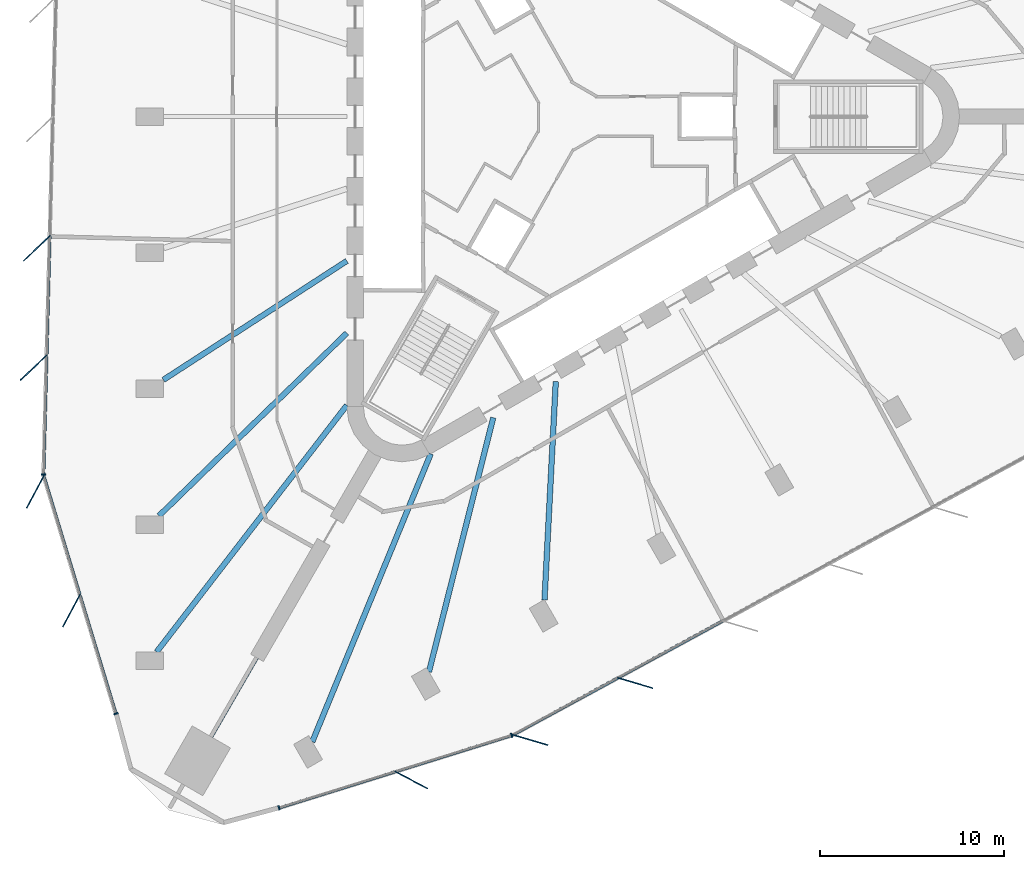
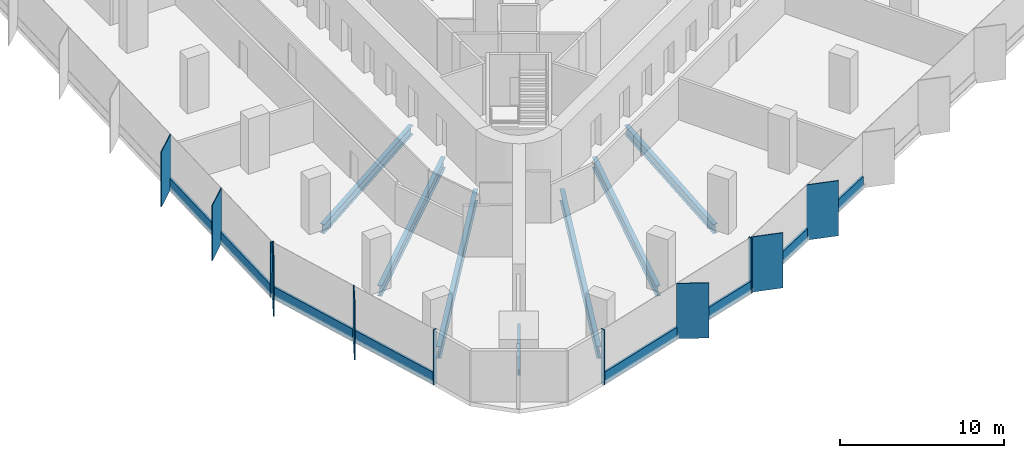
# One storey, part 2 of 14: 19 members, 7 beams, 4 elements without a shape of their own.
"""IFC4 building model written with IfcOpenShell, lengths in metres."""

from ifc_helpers import new_model, si_unit, direction, frame, origin, origin_2d, place, context, subcontext, project, spatial, rectangle, i_section, extrude, material, material_profile, profile_set, type_object, element, aggregate, save


model = new_model("IFC4")

# Units and contexts
model_context = context("Model", 3, precision=1e-05, world=origin(), true_north=direction((0.0, 1.0)))
body_context = subcontext(model_context, "Body", "Model", "MODEL_VIEW")
ifc_project = project(units=[si_unit("LENGTHUNIT", "METRE"), si_unit("AREAUNIT", "SQUARE_METRE"), si_unit("VOLUMEUNIT", "CUBIC_METRE"), si_unit("PLANEANGLEUNIT", "RADIAN"), si_unit("MASSUNIT", "GRAM", prefix="KILO")], contexts=[model_context])

# Site, building, storey
site_placement = place(None, origin())
site = spatial("IfcSite", under=ifc_project, at=site_placement, CompositionType="ELEMENT")
building_placement = place(site_placement, origin())
building = spatial("IfcBuilding", under=site, at=building_placement, Name="Tanit Gate Tower", CompositionType="ELEMENT")
storey_placement = place(building_placement, frame((0.0, 0.0, 127.5)))
storey = spatial("IfcBuildingStorey", under=building, at=storey_placement, Name="L27", CompositionType="ELEMENT", Elevation=127.5)

# Curtain wall, members
ifc_material_1 = material(Name="Aluminium bronze anodised and glass", Category="aluminium")
curtain_wall_type = type_object("IfcCurtainWallType", Name="Curtain wall typical low", PredefinedType="NOTDEFINED", material=ifc_material_1)
curtain_wall_1_placement = place(storey_placement, origin())
curtain_wall_1 = element("IfcCurtainWall", 1, at=curtain_wall_1_placement, inside=storey, type_object=curtain_wall_type, Name="Curtain wall L27 W2", PredefinedType="NOTDEFINED")
ifc_material_2 = material(Name="Aluminium bronze anodised", Category="aluminium")
ifc_material_profile_1 = material_profile(ifc_material_2, rectangle(XDim=2.0, YDim=0.055908203125, at=origin_2d()), Name="56x2000 bronze fin mullion")
ifc_profile_set_1 = profile_set([ifc_material_profile_1], Name="Aluminium bronze anodised")
member_type_1 = type_object("IfcMemberType", Name="FIN MULLION 56x2000 bronze", PredefinedType="MULLION", material=ifc_profile_set_1)
member_1_placement = place(storey_placement, frame((-28.945556640625, -7.157470703125, -0.300048828125), z_axis=(0.0, 0.0, 1.0), x_axis=(0.725295571884, 0.688437603131, 0.0)))
member_1 = element("IfcMember", 2, at=member_1_placement, type_object=member_type_1, Name="Fin mullion L27 W2.5", PredefinedType="MULLION", context=body_context, shape_type="SweptSolid", body=[
    extrude(rectangle(XDim=2.0, YDim=0.055908203125, at=origin_2d()), origin(), (0.0, 0.0, 1.0), 4.10009765625),
])
member_2_placement = place(storey_placement, frame((-29.11474609375, -13.64306640625, -0.300048828125), z_axis=(0.0, 0.0, 1.0), x_axis=(0.725295571884, 0.688437603131, 0.0)))
member_2 = element("IfcMember", 3, at=member_2_placement, type_object=member_type_1, Name="Fin mullion L27 W2.6", PredefinedType="MULLION", context=body_context, shape_type="SweptSolid", body=[
    extrude(rectangle(XDim=2.0, YDim=0.055908203125, at=origin_2d()), origin(), (0.0, 0.0, 1.0), 4.10009765625),
])

curtain_wall_2_placement = place(storey_placement, origin())
curtain_wall_2 = element("IfcCurtainWall", 4, at=curtain_wall_2_placement, inside=storey, type_object=curtain_wall_type, Name="Curtain wall L27 W3", PredefinedType="NOTDEFINED")
member_3_placement = place(storey_placement, frame((-29.02490234375, -20.395751953125, -0.300048828125), z_axis=(0.0, 0.0, 1.0), x_axis=(0.471377964943, 0.881931297872, 0.0)))
member_3 = element("IfcMember", 5, at=member_3_placement, type_object=member_type_1, Name="Fin mullion L27 W3.1", PredefinedType="MULLION", context=body_context, shape_type="SweptSolid", body=[
    extrude(rectangle(XDim=2.0, YDim=0.055908203125, at=origin_2d()), origin(), (0.0, 0.0, 1.0), 4.10009765625),
])
member_4_placement = place(storey_placement, frame((-27.066162109375, -26.85302734375, -0.300048828125), z_axis=(0.0, 0.0, 1.0), x_axis=(0.471377964943, 0.881931297872, 0.0)))
member_4 = element("IfcMember", 6, at=member_4_placement, type_object=member_type_1, Name="Fin mullion L27 W3.2", PredefinedType="MULLION", context=body_context, shape_type="SweptSolid", body=[
    extrude(rectangle(XDim=2.0, YDim=0.055908203125, at=origin_2d()), origin(), (0.0, 0.0, 1.0), 4.10009765625),
])

# Curtain wall, member
curtain_wall_3_placement = place(storey_placement, origin())
curtain_wall_3 = element("IfcCurtainWall", 7, at=curtain_wall_3_placement, inside=storey, type_object=curtain_wall_type, Name="Curtain wall L27 SE1", PredefinedType="NOTDEFINED")
member_5_placement = place(storey_placement, frame((-8.59765625, -36.05126953125, -0.300048828125), z_axis=(0.0, 0.0, 1.0), x_axis=(-0.885483827733, 0.464670195756, 0.0)))
member_5 = element("IfcMember", 8, at=member_5_placement, type_object=member_type_1, Name="Fin mullion L27 SE1.2", PredefinedType="MULLION", context=body_context, shape_type="SweptSolid", body=[
    extrude(rectangle(XDim=2.0, YDim=0.055908203125, at=origin_2d()), origin(), (0.0, 0.0, 1.0), 4.10009765625),
])

# Curtain wall, members
curtain_wall_4_placement = place(storey_placement, origin())
curtain_wall_4 = element("IfcCurtainWall", 9, at=curtain_wall_4_placement, inside=storey, type_object=curtain_wall_type, Name="Curtain wall L27 SE2", PredefinedType="NOTDEFINED")
member_6_placement = place(storey_placement, frame((-2.1328125, -33.8740234375, -0.300048828125), z_axis=(0.0, 0.0, 1.0), x_axis=(-0.958852239174, 0.283905588939, 0.0)))
member_6 = element("IfcMember", 10, at=member_6_placement, type_object=member_type_1, Name="Fin mullion L27 SE2.1", PredefinedType="MULLION", context=body_context, shape_type="SweptSolid", body=[
    extrude(rectangle(XDim=2.0, YDim=0.055908203125, at=origin_2d()), origin(), (0.0, 0.0, 1.0), 4.10009765625),
])
member_7_placement = place(storey_placement, frame((3.568115234375, -30.777587890625, -0.300048828125), z_axis=(0.0, 0.0, 1.0), x_axis=(-0.958852239174, 0.283905588939, 0.0)))
member_7 = element("IfcMember", 11, at=member_7_placement, type_object=member_type_1, Name="Fin mullion L27 SE2.2", PredefinedType="MULLION", context=body_context, shape_type="SweptSolid", body=[
    extrude(rectangle(XDim=2.0, YDim=0.055908203125, at=origin_2d()), origin(), (0.0, 0.0, 1.0), 4.10009765625),
])

# Member
ifc_material_3 = material(Name="Aluminium bronze anodised", Category="aluminium")
ifc_material_profile_2 = material_profile(ifc_material_3, rectangle(XDim=0.239990234375, YDim=0.080078125, at=origin_2d()), Name="80x240 bronze mullion")
ifc_profile_set_2 = profile_set([ifc_material_profile_2], Name="Aluminium bronze anodised")
member_type_2 = type_object("IfcMemberType", Name="Mullion 80x240 typical low", PredefinedType="MULLION", material=ifc_profile_set_2)
member_8_placement = place(storey_placement, frame((-28.574951171875, -19.45556640625, -0.300048828125), z_axis=(0.0, 0.0, 1.0), x_axis=(0.999660314842, -0.026062519646, 0.0)))
member_8 = element("IfcMember", 12, at=member_8_placement, type_object=member_type_2, Name="Mullion L27 W2.7", PredefinedType="MULLION", context=body_context, shape_type="SweptSolid", body=[
    extrude(rectangle(XDim=0.239990234375, YDim=0.080078125, at=origin_2d()), origin(), (0.0, 0.0, 1.0), 4.10009765625),
])

member_9_placement = place(storey_placement, frame((-24.646484375, -32.448486328125, -0.300048828125), z_axis=(0.0, 0.0, 1.0), x_axis=(0.956934156779, 0.290305045753, 0.0)))
member_9 = element("IfcMember", 13, at=member_9_placement, type_object=member_type_2, Name="Mullion L27 W3.3", PredefinedType="MULLION", context=body_context, shape_type="SweptSolid", body=[
    extrude(rectangle(XDim=0.239990234375, YDim=0.080078125, at=origin_2d()), origin(), (0.0, 0.0, 1.0), 4.10009765625),
])

member_10_placement = place(storey_placement, frame((-15.782958984375, -37.56689453125, -0.300048828125), z_axis=(0.0, 0.0, 1.0), x_axis=(-0.297560172786, 0.954703065655, 0.0)))
member_10 = element("IfcMember", 14, at=member_10_placement, type_object=member_type_2, Name="Mullion L27 SE1.1", PredefinedType="MULLION", context=body_context, shape_type="SweptSolid", body=[
    extrude(rectangle(XDim=0.239990234375, YDim=0.080078125, at=origin_2d()), origin(), (0.0, 0.0, 1.0), 4.10009765625),
])

member_11_placement = place(storey_placement, frame((-3.143310546875, -33.62744140625, -0.300048828125), z_axis=(0.0, 0.0, 1.0), x_axis=(-0.297560172786, 0.954703065655, 0.0)))
member_11 = element("IfcMember", 15, at=member_11_placement, type_object=member_type_2, Name="Mullion L27 SE1.3", PredefinedType="MULLION", context=body_context, shape_type="SweptSolid", body=[
    extrude(rectangle(XDim=0.239990234375, YDim=0.080078125, at=origin_2d()), origin(), (0.0, 0.0, 1.0), 4.10009765625),
])

# Beams
ifc_material_4 = material(Name="Steel S355", Category="steel")
ifc_material_profile_3 = material_profile(ifc_material_4, i_section(OverallWidth=0.300048828125, OverallDepth=0.68994140625, WebThickness=0.014404296875, FlangeThickness=0.027099609375, FilletRadius=0.027099609375, at=origin_2d()), Name="HEA 700")
ifc_profile_set_3 = profile_set([ifc_material_profile_3], Name="Steel S355")
beam_type_1 = type_object("IfcBeamType", Name="RADIAL GIRDER HEA 700 S355", PredefinedType="BEAM", material=ifc_profile_set_3)
for number, where, z_axis, x_axis, name in (
    (16, (-22.067626953125, -14.307861328125, -0.64501953125), (0.839066280254, 0.54402920633, 0.0), (-0.54402920633, 0.839066280254, 0.0), "RADIAL GIRDER"),
    (17, (-1.357177734375, -26.264892578125, -0.64501953125), (0.051595349466, 0.998668072942, 0.0), (-0.998668072942, 0.051595349466, 0.0), "RADIAL GIRDER"),
):
    element("IfcBeam", number, at=place(storey_placement, frame(where, z_axis=z_axis, x_axis=x_axis)), inside=storey, type_object=beam_type_1, Name=name, PredefinedType="BEAM", context=body_context, shape_type="SweptSolid", body=[
        extrude(i_section(OverallWidth=0.300048828125, OverallDepth=0.68994140625, WebThickness=0.014404296875, FlangeThickness=0.027099609375, FilletRadius=0.027099609375, at=origin_2d()), origin(), (0.0, 0.0, 1.0), 11.876953125),
    ])
ifc_material_5 = material(Name="Steel S355", Category="steel")
ifc_material_profile_4 = material_profile(ifc_material_5, i_section(OverallWidth=0.300048828125, OverallDepth=0.7900390625, WebThickness=0.014892578125, FlangeThickness=0.028076171875, FilletRadius=0.030029296875, at=origin_2d()), Name="HEA 800")
ifc_profile_set_4 = profile_set([ifc_material_profile_4], Name="Steel S355")
beam_type_2 = type_object("IfcBeamType", Name="RADIAL GIRDER HEA 800 S355", PredefinedType="BEAM", material=ifc_profile_set_4)
for number, where, z_axis, x_axis, name in (
    (18, (-22.311767578125, -21.69921875, -0.695068359375), (0.716878053462, 0.697198577497, 0.0), (-0.697198577497, 0.716878053462, 0.0), "RADIAL GIRDER"),
    (19, (-7.63623046875, -30.172119140625, -0.695068359375), (0.245341928532, 0.969436608605, 0.0), (-0.969436608605, 0.245341928532, 0.0), "RADIAL GIRDER"),
):
    element("IfcBeam", number, at=place(storey_placement, frame(where, z_axis=z_axis, x_axis=x_axis)), inside=storey, type_object=beam_type_2, Name=name, PredefinedType="BEAM", context=body_context, shape_type="SweptSolid", body=[
        extrude(i_section(OverallWidth=0.300048828125, OverallDepth=0.7900390625, WebThickness=0.014892578125, FlangeThickness=0.028076171875, FilletRadius=0.030029296875, at=origin_2d()), origin(), (0.0, 0.0, 1.0), 14.241943359375),
    ])
ifc_material_6 = material(Name="Steel S355", Category="steel")
ifc_material_profile_5 = material_profile(ifc_material_6, i_section(OverallWidth=0.300048828125, OverallDepth=0.889892578125, WebThickness=0.01611328125, FlangeThickness=0.030029296875, FilletRadius=0.030029296875, at=origin_2d()), Name="HEA 900")
ifc_profile_set_5 = profile_set([ifc_material_profile_5], Name="Steel S355")
beam_type_3 = type_object("IfcBeamType", Name="RADIAL GIRDER HEA 900 S355", PredefinedType="BEAM", material=ifc_profile_set_5)
for number, where, z_axis, x_axis, name in (
    (20, (-22.433837890625, -29.0908203125, -0.7451171875), (0.610670590599, 0.791884732633, 0.0), (-0.791884732633, 0.610670590599, 0.0), "RADIAL GIRDER"),
    (21, (-13.976318359375, -33.9736328125, -0.7451171875), (0.380451490729, 0.924800877596, 0.0), (-0.924800877596, 0.380451490729, 0.0), "RADIAL GIRDER"),
):
    element("IfcBeam", number, at=place(storey_placement, frame(where, z_axis=z_axis, x_axis=x_axis)), inside=storey, type_object=beam_type_3, Name=name, PredefinedType="BEAM", context=body_context, shape_type="SweptSolid", body=[
        extrude(i_section(OverallWidth=0.300048828125, OverallDepth=0.889892578125, WebThickness=0.01611328125, FlangeThickness=0.030029296875, FilletRadius=0.030029296875, at=origin_2d()), origin(), (0.0, 0.0, 1.0), 16.918701171875),
    ])
ifc_material_7 = material(Name="Steel S355", Category="steel")
ifc_material_profile_6 = material_profile(ifc_material_7, i_section(OverallWidth=0.179931640625, OverallDepth=0.39990234375, WebThickness=0.008544921875, FlangeThickness=0.013427734375, FilletRadius=0.02099609375, at=origin_2d()), Name="IPE 400")
ifc_profile_set_6 = profile_set([ifc_material_profile_6], Name="Steel S355")
beam_type_4 = type_object("IfcBeamType", Name="RADIAL GIRDER IPE 400 S355", PredefinedType="BEAM", material=ifc_profile_set_6)
beam_placement = place(storey_placement, frame((-19.462646484375, -33.71044921875, -0.5), z_axis=(0.499969421594, 0.866043057515, 0.0), x_axis=(-0.866043057515, 0.499969421594, 0.0)))
element("IfcBeam", 22, at=beam_placement, inside=storey, type_object=beam_type_4, Name="RADIAL GIRDER", PredefinedType="BEAM", context=body_context, shape_type="SweptSolid", body=[
    extrude(i_section(OverallWidth=0.179931640625, OverallDepth=0.39990234375, WebThickness=0.008544921875, FlangeThickness=0.013427734375, FilletRadius=0.02099609375, at=origin_2d()), origin(), (0.0, 0.0, 1.0), 4.963134765625),
])

# Member
ifc_material_8 = material(Name="Aluminium bronze anodised", Category="aluminium")
ifc_material_profile_7 = material_profile(ifc_material_8, rectangle(XDim=0.159912109375, YDim=0.89990234375, at=origin_2d()), Name="160x900 bronze transom")
ifc_profile_set_7 = profile_set([ifc_material_profile_7], Name="Aluminium bronze anodised")
member_type_3 = type_object("IfcMemberType", Name="Transom 160x900 typical low", PredefinedType="USERDEFINED", material=ifc_profile_set_7)
member_12_placement = place(storey_placement, frame((-28.23779296875, -6.524658203125, 0.14990234375), z_axis=(-0.026061199028, -0.999660349271, 0.0), x_axis=(0.999660349271, -0.026061199028, 0.0)))
member_12 = element("IfcMember", 23, at=member_12_placement, type_object=member_type_3, Name="Transom L27 W2.5", ObjectType="TRANSOM", PredefinedType="USERDEFINED", context=body_context, shape_type="SweptSolid", body=[
    extrude(rectangle(XDim=0.159912109375, YDim=0.89990234375, at=origin_2d()), origin(), (0.0, 0.0, 1.0), 6.40771484375),
])

member_13_placement = place(storey_placement, frame((-28.40673828125, -13.010009765625, 0.14990234375), z_axis=(-0.026061199028, -0.999660349271, 0.0), x_axis=(0.999660349271, -0.026061199028, 0.0)))
member_13 = element("IfcMember", 24, at=member_13_placement, type_object=member_type_3, Name="Transom L27 W2.6", ObjectType="TRANSOM", PredefinedType="USERDEFINED", context=body_context, shape_type="SweptSolid", body=[
    extrude(rectangle(XDim=0.159912109375, YDim=0.89990234375, at=origin_2d()), origin(), (0.0, 0.0, 1.0), 6.40771484375),
])

aggregate(curtain_wall_1, [member_1, member_2, member_8, member_12, member_13])

member_14_placement = place(storey_placement, frame((-28.552734375, -19.572021484375, 0.14990234375), z_axis=(0.290309188967, -0.956932899843, 0.0), x_axis=(0.956932899843, 0.290309188967, 0.0)))
member_14 = element("IfcMember", 25, at=member_14_placement, type_object=member_type_3, Name="Transom L27 W3.1", ObjectType="TRANSOM", PredefinedType="USERDEFINED", context=body_context, shape_type="SweptSolid", body=[
    extrude(rectangle(XDim=0.159912109375, YDim=0.89990234375, at=origin_2d()), origin(), (0.0, 0.0, 1.0), 6.66796875),
])

member_15_placement = place(storey_placement, frame((-26.59375, -26.029296875, 0.14990234375), z_axis=(0.290309188967, -0.956932899843, 0.0), x_axis=(0.956932899843, 0.290309188967, 0.0)))
member_15 = element("IfcMember", 26, at=member_15_placement, type_object=member_type_3, Name="Transom L27 W3.2", ObjectType="TRANSOM", PredefinedType="USERDEFINED", context=body_context, shape_type="SweptSolid", body=[
    extrude(rectangle(XDim=0.159912109375, YDim=0.89990234375, at=origin_2d()), origin(), (0.0, 0.0, 1.0), 6.66796875),
])

aggregate(curtain_wall_2, [member_3, member_4, member_9, member_14, member_15])

member_16_placement = place(storey_placement, frame((-15.744873046875, -37.554931640625, 0.14990234375), z_axis=(0.954708873839, 0.297541536953, 0.0), x_axis=(-0.297541536953, 0.954708873839, 0.0)))
member_16 = element("IfcMember", 27, at=member_16_placement, type_object=member_type_3, Name="Transom L27 SE1.1", ObjectType="TRANSOM", PredefinedType="USERDEFINED", context=body_context, shape_type="SweptSolid", body=[
    extrude(rectangle(XDim=0.159912109375, YDim=0.89990234375, at=origin_2d()), origin(), (0.0, 0.0, 1.0), 6.53955078125),
])

member_17_placement = place(storey_placement, frame((-9.425048828125, -35.585205078125, 0.14990234375), z_axis=(0.954708873839, 0.297541536953, 0.0), x_axis=(-0.297541536953, 0.954708873839, 0.0)))
member_17 = element("IfcMember", 28, at=member_17_placement, type_object=member_type_3, Name="Transom L27 SE1.2", ObjectType="TRANSOM", PredefinedType="USERDEFINED", context=body_context, shape_type="SweptSolid", body=[
    extrude(rectangle(XDim=0.159912109375, YDim=0.89990234375, at=origin_2d()), origin(), (0.0, 0.0, 1.0), 6.53955078125),
])

aggregate(curtain_wall_3, [member_10, member_5, member_11, member_16, member_17])

member_18_placement = place(storey_placement, frame((-3.034912109375, -33.577392578125, 0.14990234375), z_axis=(0.878764866194, 0.477254973723, 0.0), x_axis=(-0.477254973723, 0.878764866194, 0.0)))
member_18 = element("IfcMember", 29, at=member_18_placement, type_object=member_type_3, Name="Transom L27 SE2.1", ObjectType="TRANSOM", PredefinedType="USERDEFINED", context=body_context, shape_type="SweptSolid", body=[
    extrude(rectangle(XDim=0.159912109375, YDim=0.89990234375, at=origin_2d()), origin(), (0.0, 0.0, 1.0), 6.40771484375),
])

member_19_placement = place(storey_placement, frame((2.666259765625, -30.481201171875, 0.14990234375), z_axis=(0.878756187372, 0.477270953606, 0.0), x_axis=(-0.477270953606, 0.878756187372, 0.0)))
member_19 = element("IfcMember", 30, at=member_19_placement, type_object=member_type_3, Name="Transom L27 SE2.2", ObjectType="TRANSOM", PredefinedType="USERDEFINED", context=body_context, shape_type="SweptSolid", body=[
    extrude(rectangle(XDim=0.159912109375, YDim=0.89990234375, at=origin_2d()), origin(), (0.0, 0.0, 1.0), 6.407470703125),
])

aggregate(curtain_wall_4, [member_6, member_7, member_18, member_19])

save(model, "model.ifc")
